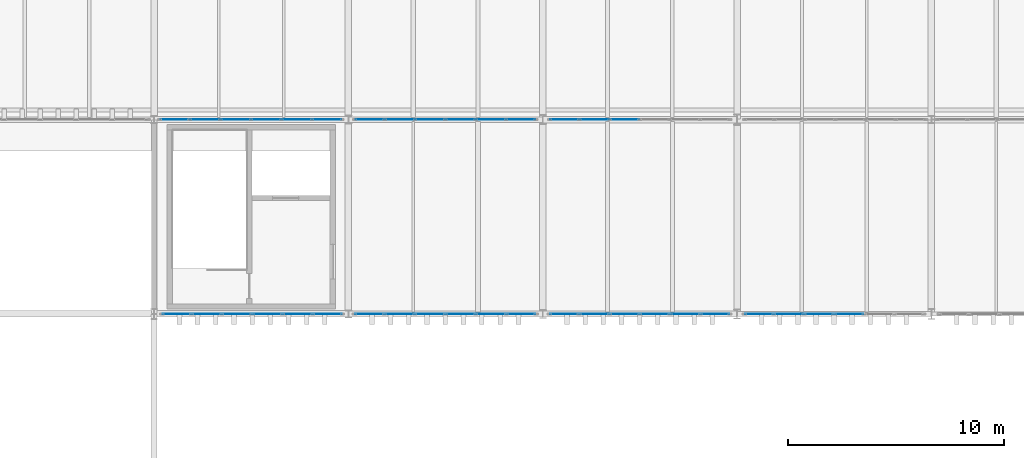
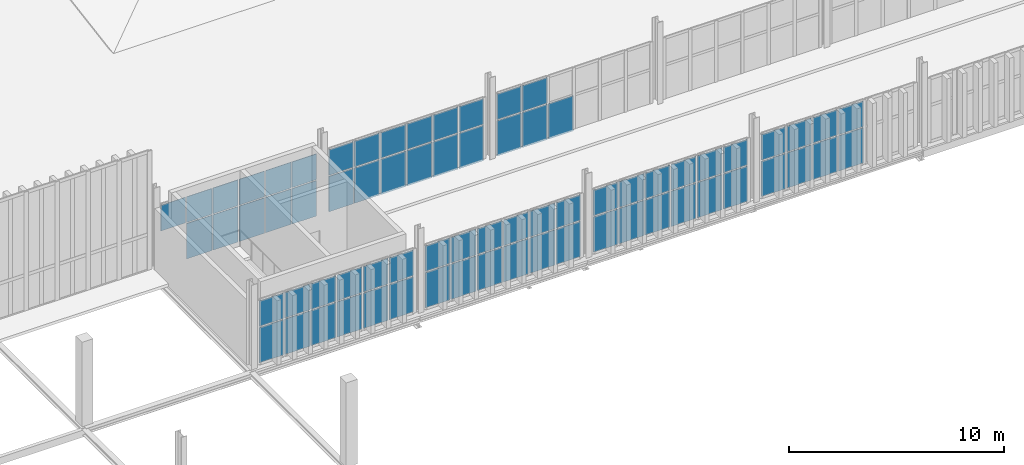
# One storey, part 158 of 196: 72 plates, 7 elements without a shape of their own.
"""IFC4 building model written with IfcOpenShell, lengths in metres."""

from ifc_helpers import new_model, si_unit, direction, frame, origin, origin_2d, place, context, subcontext, project, spatial, rectangle, extrude, material, layer, layer_set, type_object, element, aggregate, save


model = new_model("IFC4")

# Units and contexts
model_context = context("Model", 3, precision=1e-05, world=origin(), true_north=direction((0.0, 1.0)))
body_context = subcontext(model_context, "Body", "Model", "MODEL_VIEW")
ifc_project = project(units=[si_unit("LENGTHUNIT", "METRE"), si_unit("AREAUNIT", "SQUARE_METRE"), si_unit("VOLUMEUNIT", "CUBIC_METRE"), si_unit("PLANEANGLEUNIT", "RADIAN"), si_unit("MASSUNIT", "GRAM", prefix="KILO")], contexts=[model_context])

# Site, building, storey
site_placement = place(None, origin())
site = spatial("IfcSite", under=ifc_project, at=site_placement, CompositionType="ELEMENT")
building_placement = place(site_placement, origin())
building = spatial("IfcBuilding", under=site, at=building_placement, Name="Barlavento Convention Centre", CompositionType="ELEMENT")
storey_placement = place(building_placement, frame((0.0, 0.0, 18.0)))
storey = spatial("IfcBuildingStorey", under=building, at=storey_placement, Name="L03", CompositionType="ELEMENT", Elevation=18.0)

# Curtain wall, plates
ifc_material_1 = material(Name="Powder-coated aluminium and Low-E glass", Category="aluminium")
ifc_layer_1 = layer(ifc_material_1, 0.179931640625)
ifc_layer_set_1 = layer_set([ifc_layer_1], Name="ARC-CW-CONF-L03")
curtain_wall_type = type_object("IfcCurtainWallType", Name="ARC-CW-CONF-L03", PredefinedType="NOTDEFINED", material=ifc_layer_set_1)
curtain_wall_1_placement = place(storey_placement, origin())
curtain_wall_1 = element("IfcCurtainWall", 1, at=curtain_wall_1_placement, inside=storey, type_object=curtain_wall_type, Name="L03 unitised curtain wall CW08", PredefinedType="NOTDEFINED")
ifc_material_2 = material(Name="Double-silver Low-E insulated glass", Category="glass")
ifc_layer_2 = layer(ifc_material_2, 0.028076171875)
ifc_layer_set_2 = layer_set([ifc_layer_2], Name="ARC-CWP-GLZ28")
plate_type_1 = type_object("IfcPlateType", Name="ARC-CWP-GLZ28", PredefinedType="CURTAIN_PANEL", material=ifc_layer_set_2)
plate_1_placement = place(storey_placement, frame((63.96240234375, 54.0, 2.130126953125), z_axis=(0.0, 0.0, 1.0), x_axis=(1.0, 0.0, 0.0)))
plate_1 = element("IfcPlate", 2, at=plate_1_placement, type_object=plate_type_1, Name="CW08 panel 1.2", PredefinedType="CURTAIN_PANEL", context=body_context, shape_type="SweptSolid", body=[
    extrude(rectangle(XDim=1.324951171875, YDim=0.028076171875, at=origin_2d()), origin(), (0.0, 0.0, 1.0), 1.4599609375),
])
plate_2_placement = place(storey_placement, frame((65.362548828125, 54.0, 0.06005859375), z_axis=(0.0, 0.0, 1.0), x_axis=(1.0, 0.0, 0.0)))
plate_2 = element("IfcPlate", 3, at=plate_2_placement, type_object=plate_type_1, Name="CW08 panel 2.1", PredefinedType="CURTAIN_PANEL", context=body_context, shape_type="SweptSolid", body=[
    extrude(rectangle(XDim=1.35498046875, YDim=0.028076171875, at=origin_2d()), origin(), (0.0, 0.0, 1.0), 2.010009765625),
])
plate_3_placement = place(storey_placement, frame((65.362548828125, 54.0, 2.130126953125), z_axis=(0.0, 0.0, 1.0), x_axis=(1.0, 0.0, 0.0)))
plate_3 = element("IfcPlate", 4, at=plate_3_placement, type_object=plate_type_1, Name="CW08 panel 2.2", PredefinedType="CURTAIN_PANEL", context=body_context, shape_type="SweptSolid", body=[
    extrude(rectangle(XDim=1.35498046875, YDim=0.028076171875, at=origin_2d()), origin(), (0.0, 0.0, 1.0), 1.4599609375),
])
plate_4_placement = place(storey_placement, frame((66.777587890625, 54.0, 0.06005859375), z_axis=(0.0, 0.0, 1.0), x_axis=(1.0, 0.0, 0.0)))
plate_4 = element("IfcPlate", 5, at=plate_4_placement, type_object=plate_type_1, Name="CW08 panel 3.1", PredefinedType="CURTAIN_PANEL", context=body_context, shape_type="SweptSolid", body=[
    extrude(rectangle(XDim=1.35498046875, YDim=0.028076171875, at=origin_2d()), origin(), (0.0, 0.0, 1.0), 2.010009765625),
])
plate_5_placement = place(storey_placement, frame((66.777587890625, 54.0, 2.130126953125), z_axis=(0.0, 0.0, 1.0), x_axis=(1.0, 0.0, 0.0)))
plate_5 = element("IfcPlate", 6, at=plate_5_placement, type_object=plate_type_1, Name="CW08 panel 3.2", PredefinedType="CURTAIN_PANEL", context=body_context, shape_type="SweptSolid", body=[
    extrude(rectangle(XDim=1.35498046875, YDim=0.028076171875, at=origin_2d()), origin(), (0.0, 0.0, 1.0), 1.4599609375),
])
plate_6_placement = place(storey_placement, frame((68.1923828125, 54.0, 0.06005859375), z_axis=(0.0, 0.0, 1.0), x_axis=(1.0, 0.0, 0.0)))
plate_6 = element("IfcPlate", 7, at=plate_6_placement, type_object=plate_type_1, Name="CW08 panel 4.1", PredefinedType="CURTAIN_PANEL", context=body_context, shape_type="SweptSolid", body=[
    extrude(rectangle(XDim=1.35498046875, YDim=0.028076171875, at=origin_2d()), origin(), (0.0, 0.0, 1.0), 2.010009765625),
])
plate_7_placement = place(storey_placement, frame((68.1923828125, 54.0, 2.130126953125), z_axis=(0.0, 0.0, 1.0), x_axis=(1.0, 0.0, 0.0)))
plate_7 = element("IfcPlate", 8, at=plate_7_placement, type_object=plate_type_1, Name="CW08 panel 4.2", PredefinedType="CURTAIN_PANEL", context=body_context, shape_type="SweptSolid", body=[
    extrude(rectangle(XDim=1.35498046875, YDim=0.028076171875, at=origin_2d()), origin(), (0.0, 0.0, 1.0), 1.4599609375),
])
plate_8_placement = place(storey_placement, frame((69.607421875, 54.0, 0.06005859375), z_axis=(0.0, 0.0, 1.0), x_axis=(1.0, 0.0, 0.0)))
plate_8 = element("IfcPlate", 9, at=plate_8_placement, type_object=plate_type_1, Name="CW08 panel 5.1", PredefinedType="CURTAIN_PANEL", context=body_context, shape_type="SweptSolid", body=[
    extrude(rectangle(XDim=1.35498046875, YDim=0.028076171875, at=origin_2d()), origin(), (0.0, 0.0, 1.0), 2.010009765625),
])
plate_9_placement = place(storey_placement, frame((69.607421875, 54.0, 2.130126953125), z_axis=(0.0, 0.0, 1.0), x_axis=(1.0, 0.0, 0.0)))
plate_9 = element("IfcPlate", 10, at=plate_9_placement, type_object=plate_type_1, Name="CW08 panel 5.2", PredefinedType="CURTAIN_PANEL", context=body_context, shape_type="SweptSolid", body=[
    extrude(rectangle(XDim=1.35498046875, YDim=0.028076171875, at=origin_2d()), origin(), (0.0, 0.0, 1.0), 1.4599609375),
])
plate_10_placement = place(storey_placement, frame((71.007568359375, 54.0, 0.06005859375), z_axis=(0.0, 0.0, 1.0), x_axis=(1.0, 0.0, 0.0)))
plate_10 = element("IfcPlate", 11, at=plate_10_placement, type_object=plate_type_1, Name="CW08 panel 6.1", PredefinedType="CURTAIN_PANEL", context=body_context, shape_type="SweptSolid", body=[
    extrude(rectangle(XDim=1.324951171875, YDim=0.028076171875, at=origin_2d()), origin(), (0.0, 0.0, 1.0), 2.010009765625),
])
plate_11_placement = place(storey_placement, frame((71.007568359375, 54.0, 2.130126953125), z_axis=(0.0, 0.0, 1.0), x_axis=(1.0, 0.0, 0.0)))
plate_11 = element("IfcPlate", 12, at=plate_11_placement, type_object=plate_type_1, Name="CW08 panel 6.2", PredefinedType="CURTAIN_PANEL", context=body_context, shape_type="SweptSolid", body=[
    extrude(rectangle(XDim=1.324951171875, YDim=0.028076171875, at=origin_2d()), origin(), (0.0, 0.0, 1.0), 1.4599609375),
])
aggregate(curtain_wall_1, [plate_1, plate_2, plate_3, plate_4, plate_5, plate_6, plate_7, plate_8, plate_9, plate_10, plate_11])

curtain_wall_2_placement = place(storey_placement, origin())
curtain_wall_2 = element("IfcCurtainWall", 13, at=curtain_wall_2_placement, inside=storey, type_object=curtain_wall_type, Name="L03 unitised curtain wall CW08", PredefinedType="NOTDEFINED")
plate_12_placement = place(storey_placement, frame((72.988037109375, 54.0, 0.06005859375), z_axis=(0.0, 0.0, 1.0), x_axis=(1.0, 0.0, 0.0)))
plate_12 = element("IfcPlate", 14, at=plate_12_placement, type_object=plate_type_1, Name="CW08 panel 1.1", PredefinedType="CURTAIN_PANEL", context=body_context, shape_type="SweptSolid", body=[
    extrude(rectangle(XDim=1.31591796875, YDim=0.028076171875, at=origin_2d()), origin(), (0.0, 0.0, 1.0), 2.010009765625),
])
plate_13_placement = place(storey_placement, frame((72.988037109375, 54.0, 2.130126953125), z_axis=(0.0, 0.0, 1.0), x_axis=(1.0, 0.0, 0.0)))
plate_13 = element("IfcPlate", 15, at=plate_13_placement, type_object=plate_type_1, Name="CW08 panel 1.2", PredefinedType="CURTAIN_PANEL", context=body_context, shape_type="SweptSolid", body=[
    extrude(rectangle(XDim=1.31591796875, YDim=0.028076171875, at=origin_2d()), origin(), (0.0, 0.0, 1.0), 1.4599609375),
])
plate_14_placement = place(storey_placement, frame((74.378662109375, 54.0, 0.06005859375), z_axis=(0.0, 0.0, 1.0), x_axis=(1.0, 0.0, 0.0)))
plate_14 = element("IfcPlate", 16, at=plate_14_placement, type_object=plate_type_1, Name="CW08 panel 2.1", PredefinedType="CURTAIN_PANEL", context=body_context, shape_type="SweptSolid", body=[
    extrude(rectangle(XDim=1.345947265625, YDim=0.028076171875, at=origin_2d()), origin(), (0.0, 0.0, 1.0), 2.010009765625),
])
plate_15_placement = place(storey_placement, frame((74.378662109375, 54.0, 2.130126953125), z_axis=(0.0, 0.0, 1.0), x_axis=(1.0, 0.0, 0.0)))
plate_15 = element("IfcPlate", 17, at=plate_15_placement, type_object=plate_type_1, Name="CW08 panel 2.2", PredefinedType="CURTAIN_PANEL", context=body_context, shape_type="SweptSolid", body=[
    extrude(rectangle(XDim=1.345947265625, YDim=0.028076171875, at=origin_2d()), origin(), (0.0, 0.0, 1.0), 1.4599609375),
])
plate_16_placement = place(storey_placement, frame((75.78466796875, 54.0, 0.06005859375), z_axis=(0.0, 0.0, 1.0), x_axis=(1.0, 0.0, 0.0)))
plate_16 = element("IfcPlate", 18, at=plate_16_placement, type_object=plate_type_1, Name="CW08 panel 3.1", PredefinedType="CURTAIN_PANEL", context=body_context, shape_type="SweptSolid", body=[
    extrude(rectangle(XDim=1.345947265625, YDim=0.028076171875, at=origin_2d()), origin(), (0.0, 0.0, 1.0), 2.010009765625),
])
plate_17_placement = place(storey_placement, frame((75.78466796875, 54.0, 2.130126953125), z_axis=(0.0, 0.0, 1.0), x_axis=(1.0, 0.0, 0.0)))
plate_17 = element("IfcPlate", 19, at=plate_17_placement, type_object=plate_type_1, Name="CW08 panel 3.2", PredefinedType="CURTAIN_PANEL", context=body_context, shape_type="SweptSolid", body=[
    extrude(rectangle(XDim=1.345947265625, YDim=0.028076171875, at=origin_2d()), origin(), (0.0, 0.0, 1.0), 1.4599609375),
])
plate_18_placement = place(storey_placement, frame((77.1904296875, 54.0, 0.06005859375), z_axis=(0.0, 0.0, 1.0), x_axis=(1.0, 0.0, 0.0)))
plate_18 = element("IfcPlate", 20, at=plate_18_placement, type_object=plate_type_1, Name="CW08 panel 4.1", PredefinedType="CURTAIN_PANEL", context=body_context, shape_type="SweptSolid", body=[
    extrude(rectangle(XDim=1.345947265625, YDim=0.028076171875, at=origin_2d()), origin(), (0.0, 0.0, 1.0), 2.010009765625),
])
plate_19_placement = place(storey_placement, frame((77.1904296875, 54.0, 2.130126953125), z_axis=(0.0, 0.0, 1.0), x_axis=(1.0, 0.0, 0.0)))
plate_19 = element("IfcPlate", 21, at=plate_19_placement, type_object=plate_type_1, Name="CW08 panel 4.2", PredefinedType="CURTAIN_PANEL", context=body_context, shape_type="SweptSolid", body=[
    extrude(rectangle(XDim=1.345947265625, YDim=0.028076171875, at=origin_2d()), origin(), (0.0, 0.0, 1.0), 1.4599609375),
])
plate_20_placement = place(storey_placement, frame((78.59619140625, 54.0, 0.06005859375), z_axis=(0.0, 0.0, 1.0), x_axis=(1.0, 0.0, 0.0)))
plate_20 = element("IfcPlate", 22, at=plate_20_placement, type_object=plate_type_1, Name="CW08 panel 5.1", PredefinedType="CURTAIN_PANEL", context=body_context, shape_type="SweptSolid", body=[
    extrude(rectangle(XDim=1.345947265625, YDim=0.028076171875, at=origin_2d()), origin(), (0.0, 0.0, 1.0), 2.010009765625),
])
plate_21_placement = place(storey_placement, frame((78.59619140625, 54.0, 2.130126953125), z_axis=(0.0, 0.0, 1.0), x_axis=(1.0, 0.0, 0.0)))
plate_21 = element("IfcPlate", 23, at=plate_21_placement, type_object=plate_type_1, Name="CW08 panel 5.2", PredefinedType="CURTAIN_PANEL", context=body_context, shape_type="SweptSolid", body=[
    extrude(rectangle(XDim=1.345947265625, YDim=0.028076171875, at=origin_2d()), origin(), (0.0, 0.0, 1.0), 1.4599609375),
])
plate_22_placement = place(storey_placement, frame((79.987060546875, 54.0, 0.06005859375), z_axis=(0.0, 0.0, 1.0), x_axis=(1.0, 0.0, 0.0)))
plate_22 = element("IfcPlate", 24, at=plate_22_placement, type_object=plate_type_1, Name="CW08 panel 6.1", PredefinedType="CURTAIN_PANEL", context=body_context, shape_type="SweptSolid", body=[
    extrude(rectangle(XDim=1.31591796875, YDim=0.028076171875, at=origin_2d()), origin(), (0.0, 0.0, 1.0), 2.010009765625),
])
plate_23_placement = place(storey_placement, frame((79.987060546875, 54.0, 2.130126953125), z_axis=(0.0, 0.0, 1.0), x_axis=(1.0, 0.0, 0.0)))
plate_23 = element("IfcPlate", 25, at=plate_23_placement, type_object=plate_type_1, Name="CW08 panel 6.2", PredefinedType="CURTAIN_PANEL", context=body_context, shape_type="SweptSolid", body=[
    extrude(rectangle(XDim=1.31591796875, YDim=0.028076171875, at=origin_2d()), origin(), (0.0, 0.0, 1.0), 1.4599609375),
])
aggregate(curtain_wall_2, [plate_12, plate_13, plate_14, plate_15, plate_16, plate_17, plate_18, plate_19, plate_20, plate_21, plate_22, plate_23])

curtain_wall_3_placement = place(storey_placement, origin())
curtain_wall_3 = element("IfcCurtainWall", 26, at=curtain_wall_3_placement, inside=storey, type_object=curtain_wall_type, Name="L03 unitised curtain wall CW08", PredefinedType="NOTDEFINED")
plate_24_placement = place(storey_placement, frame((82.0087890625, 54.0, 0.06005859375), z_axis=(0.0, 0.0, 1.0), x_axis=(1.0, 0.0, 0.0)))
plate_24 = element("IfcPlate", 27, at=plate_24_placement, type_object=plate_type_1, Name="CW08 panel 1.1", PredefinedType="CURTAIN_PANEL", context=body_context, shape_type="SweptSolid", body=[
    extrude(rectangle(XDim=1.3076171875, YDim=0.028076171875, at=origin_2d()), origin(), (0.0, 0.0, 1.0), 2.010009765625),
])
plate_25_placement = place(storey_placement, frame((82.0087890625, 54.0, 2.130126953125), z_axis=(0.0, 0.0, 1.0), x_axis=(1.0, 0.0, 0.0)))
plate_25 = element("IfcPlate", 28, at=plate_25_placement, type_object=plate_type_1, Name="CW08 panel 1.2", PredefinedType="CURTAIN_PANEL", context=body_context, shape_type="SweptSolid", body=[
    extrude(rectangle(XDim=1.3076171875, YDim=0.028076171875, at=origin_2d()), origin(), (0.0, 0.0, 1.0), 1.4599609375),
])
plate_26_placement = place(storey_placement, frame((83.391357421875, 54.0, 0.06005859375), z_axis=(0.0, 0.0, 1.0), x_axis=(1.0, 0.0, 0.0)))
plate_26 = element("IfcPlate", 29, at=plate_26_placement, type_object=plate_type_1, Name="CW08 panel 2.1", PredefinedType="CURTAIN_PANEL", context=body_context, shape_type="SweptSolid", body=[
    extrude(rectangle(XDim=1.33740234375, YDim=0.028076171875, at=origin_2d()), origin(), (0.0, 0.0, 1.0), 2.010009765625),
])
plate_27_placement = place(storey_placement, frame((83.391357421875, 54.0, 2.130126953125), z_axis=(0.0, 0.0, 1.0), x_axis=(1.0, 0.0, 0.0)))
plate_27 = element("IfcPlate", 30, at=plate_27_placement, type_object=plate_type_1, Name="CW08 panel 2.2", PredefinedType="CURTAIN_PANEL", context=body_context, shape_type="SweptSolid", body=[
    extrude(rectangle(XDim=1.33740234375, YDim=0.028076171875, at=origin_2d()), origin(), (0.0, 0.0, 1.0), 1.4599609375),
])
plate_28_placement = place(storey_placement, frame((84.788818359375, 54.0, 0.06005859375), z_axis=(0.0, 0.0, 1.0), x_axis=(1.0, 0.0, 0.0)))
plate_28 = element("IfcPlate", 31, at=plate_28_placement, type_object=plate_type_1, Name="CW08 panel 3.1", PredefinedType="CURTAIN_PANEL", context=body_context, shape_type="SweptSolid", body=[
    extrude(rectangle(XDim=1.33740234375, YDim=0.028076171875, at=origin_2d()), origin(), (0.0, 0.0, 1.0), 2.010009765625),
])
aggregate(curtain_wall_3, [plate_24, plate_25, plate_26, plate_27, plate_28])

curtain_wall_4_placement = place(storey_placement, origin())
curtain_wall_4 = element("IfcCurtainWall", 32, at=curtain_wall_4_placement, inside=storey, type_object=curtain_wall_type, Name="L03 unitised curtain wall CW08", PredefinedType="NOTDEFINED")
ifc_material_3 = material(Name="Double-silver Low-E acoustic laminated glass", Category="glass")
ifc_layer_3 = layer(ifc_material_3, 0.031982421875)
ifc_layer_set_3 = layer_set([ifc_layer_3], Name="ARC-CWP-GLZ32")
plate_type_2 = type_object("IfcPlateType", Name="ARC-CWP-GLZ32", PredefinedType="CURTAIN_PANEL", material=ifc_layer_set_3)
plate_29_placement = place(storey_placement, frame((64.0478515625, 45.0, 0.06494140625), z_axis=(0.0, 0.0, 1.0), x_axis=(1.0, 0.0, 0.0)))
plate_29 = element("IfcPlate", 33, at=plate_29_placement, type_object=plate_type_2, Name="CW08 panel 1.1", PredefinedType="CURTAIN_PANEL", context=body_context, shape_type="SweptSolid", body=[
    extrude(rectangle(XDim=1.305908203125, YDim=0.031982421875, at=origin_2d()), origin(), (0.0, 0.0, 1.0), 2.00244140625),
])
plate_30_placement = place(storey_placement, frame((64.0478515625, 45.0, 2.13232421875), z_axis=(0.0, 0.0, 1.0), x_axis=(1.0, 0.0, 0.0)))
plate_30 = element("IfcPlate", 34, at=plate_30_placement, type_object=plate_type_2, Name="CW08 panel 1.2", PredefinedType="CURTAIN_PANEL", context=body_context, shape_type="SweptSolid", body=[
    extrude(rectangle(XDim=1.305908203125, YDim=0.031982421875, at=origin_2d()), origin(), (0.0, 0.0, 1.0), 1.452392578125),
])
plate_31_placement = place(storey_placement, frame((65.43505859375, 45.0, 0.06494140625), z_axis=(0.0, 0.0, 1.0), x_axis=(1.0, 0.0, 0.0)))
plate_31 = element("IfcPlate", 35, at=plate_31_placement, type_object=plate_type_2, Name="CW08 panel 2.1", PredefinedType="CURTAIN_PANEL", context=body_context, shape_type="SweptSolid", body=[
    extrude(rectangle(XDim=1.33837890625, YDim=0.031982421875, at=origin_2d()), origin(), (0.0, 0.0, 1.0), 2.00244140625),
])
plate_32_placement = place(storey_placement, frame((65.43505859375, 45.0, 2.13232421875), z_axis=(0.0, 0.0, 1.0), x_axis=(1.0, 0.0, 0.0)))
plate_32 = element("IfcPlate", 36, at=plate_32_placement, type_object=plate_type_2, Name="CW08 panel 2.2", PredefinedType="CURTAIN_PANEL", context=body_context, shape_type="SweptSolid", body=[
    extrude(rectangle(XDim=1.33837890625, YDim=0.031982421875, at=origin_2d()), origin(), (0.0, 0.0, 1.0), 1.452392578125),
])
plate_33_placement = place(storey_placement, frame((66.83837890625, 45.0, 0.06494140625), z_axis=(0.0, 0.0, 1.0), x_axis=(1.0, 0.0, 0.0)))
plate_33 = element("IfcPlate", 37, at=plate_33_placement, type_object=plate_type_2, Name="CW08 panel 3.1", PredefinedType="CURTAIN_PANEL", context=body_context, shape_type="SweptSolid", body=[
    extrude(rectangle(XDim=1.33837890625, YDim=0.031982421875, at=origin_2d()), origin(), (0.0, 0.0, 1.0), 2.00244140625),
])
plate_34_placement = place(storey_placement, frame((66.83837890625, 45.0, 2.13232421875), z_axis=(0.0, 0.0, 1.0), x_axis=(1.0, 0.0, 0.0)))
plate_34 = element("IfcPlate", 38, at=plate_34_placement, type_object=plate_type_2, Name="CW08 panel 3.2", PredefinedType="CURTAIN_PANEL", context=body_context, shape_type="SweptSolid", body=[
    extrude(rectangle(XDim=1.33837890625, YDim=0.031982421875, at=origin_2d()), origin(), (0.0, 0.0, 1.0), 1.452392578125),
])
plate_35_placement = place(storey_placement, frame((68.24169921875, 45.0, 0.06494140625), z_axis=(0.0, 0.0, 1.0), x_axis=(1.0, 0.0, 0.0)))
plate_35 = element("IfcPlate", 39, at=plate_35_placement, type_object=plate_type_2, Name="CW08 panel 4.1", PredefinedType="CURTAIN_PANEL", context=body_context, shape_type="SweptSolid", body=[
    extrude(rectangle(XDim=1.33837890625, YDim=0.031982421875, at=origin_2d()), origin(), (0.0, 0.0, 1.0), 2.00244140625),
])
plate_36_placement = place(storey_placement, frame((68.24169921875, 45.0, 2.13232421875), z_axis=(0.0, 0.0, 1.0), x_axis=(1.0, 0.0, 0.0)))
plate_36 = element("IfcPlate", 40, at=plate_36_placement, type_object=plate_type_2, Name="CW08 panel 4.2", PredefinedType="CURTAIN_PANEL", context=body_context, shape_type="SweptSolid", body=[
    extrude(rectangle(XDim=1.33837890625, YDim=0.031982421875, at=origin_2d()), origin(), (0.0, 0.0, 1.0), 1.452392578125),
])
plate_37_placement = place(storey_placement, frame((69.64501953125, 45.0, 0.06494140625), z_axis=(0.0, 0.0, 1.0), x_axis=(1.0, 0.0, 0.0)))
plate_37 = element("IfcPlate", 41, at=plate_37_placement, type_object=plate_type_2, Name="CW08 panel 5.1", PredefinedType="CURTAIN_PANEL", context=body_context, shape_type="SweptSolid", body=[
    extrude(rectangle(XDim=1.33837890625, YDim=0.031982421875, at=origin_2d()), origin(), (0.0, 0.0, 1.0), 2.00244140625),
])
plate_38_placement = place(storey_placement, frame((69.64501953125, 45.0, 2.13232421875), z_axis=(0.0, 0.0, 1.0), x_axis=(1.0, 0.0, 0.0)))
plate_38 = element("IfcPlate", 42, at=plate_38_placement, type_object=plate_type_2, Name="CW08 panel 5.2", PredefinedType="CURTAIN_PANEL", context=body_context, shape_type="SweptSolid", body=[
    extrude(rectangle(XDim=1.33837890625, YDim=0.031982421875, at=origin_2d()), origin(), (0.0, 0.0, 1.0), 1.452392578125),
])
plate_39_placement = place(storey_placement, frame((71.031982421875, 45.0, 0.06494140625), z_axis=(0.0, 0.0, 1.0), x_axis=(1.0, 0.0, 0.0)))
plate_39 = element("IfcPlate", 43, at=plate_39_placement, type_object=plate_type_2, Name="CW08 panel 6.1", PredefinedType="CURTAIN_PANEL", context=body_context, shape_type="SweptSolid", body=[
    extrude(rectangle(XDim=1.305908203125, YDim=0.031982421875, at=origin_2d()), origin(), (0.0, 0.0, 1.0), 2.00244140625),
])
plate_40_placement = place(storey_placement, frame((71.031982421875, 45.0, 2.13232421875), z_axis=(0.0, 0.0, 1.0), x_axis=(1.0, 0.0, 0.0)))
plate_40 = element("IfcPlate", 44, at=plate_40_placement, type_object=plate_type_2, Name="CW08 panel 6.2", PredefinedType="CURTAIN_PANEL", context=body_context, shape_type="SweptSolid", body=[
    extrude(rectangle(XDim=1.305908203125, YDim=0.031982421875, at=origin_2d()), origin(), (0.0, 0.0, 1.0), 1.452392578125),
])
aggregate(curtain_wall_4, [plate_29, plate_30, plate_31, plate_32, plate_33, plate_34, plate_35, plate_36, plate_37, plate_38, plate_39, plate_40])

curtain_wall_5_placement = place(storey_placement, origin())
curtain_wall_5 = element("IfcCurtainWall", 45, at=curtain_wall_5_placement, inside=storey, type_object=curtain_wall_type, Name="L03 unitised curtain wall CW08", PredefinedType="NOTDEFINED")
plate_41_placement = place(storey_placement, frame((72.97216796875, 45.0, 0.06494140625), z_axis=(0.0, 0.0, 1.0), x_axis=(1.0, 0.0, 0.0)))
plate_41 = element("IfcPlate", 46, at=plate_41_placement, type_object=plate_type_2, Name="CW08 panel 1.1", PredefinedType="CURTAIN_PANEL", context=body_context, shape_type="SweptSolid", body=[
    extrude(rectangle(XDim=1.314208984375, YDim=0.031982421875, at=origin_2d()), origin(), (0.0, 0.0, 1.0), 2.00244140625),
])
plate_42_placement = place(storey_placement, frame((72.97216796875, 45.0, 2.13232421875), z_axis=(0.0, 0.0, 1.0), x_axis=(1.0, 0.0, 0.0)))
plate_42 = element("IfcPlate", 47, at=plate_42_placement, type_object=plate_type_2, Name="CW08 panel 1.2", PredefinedType="CURTAIN_PANEL", context=body_context, shape_type="SweptSolid", body=[
    extrude(rectangle(XDim=1.314208984375, YDim=0.031982421875, at=origin_2d()), origin(), (0.0, 0.0, 1.0), 1.452392578125),
])
plate_43_placement = place(storey_placement, frame((74.367431640625, 45.0, 0.06494140625), z_axis=(0.0, 0.0, 1.0), x_axis=(1.0, 0.0, 0.0)))
plate_43 = element("IfcPlate", 48, at=plate_43_placement, type_object=plate_type_2, Name="CW08 panel 2.1", PredefinedType="CURTAIN_PANEL", context=body_context, shape_type="SweptSolid", body=[
    extrude(rectangle(XDim=1.3466796875, YDim=0.031982421875, at=origin_2d()), origin(), (0.0, 0.0, 1.0), 2.00244140625),
])
plate_44_placement = place(storey_placement, frame((74.367431640625, 45.0, 2.13232421875), z_axis=(0.0, 0.0, 1.0), x_axis=(1.0, 0.0, 0.0)))
plate_44 = element("IfcPlate", 49, at=plate_44_placement, type_object=plate_type_2, Name="CW08 panel 2.2", PredefinedType="CURTAIN_PANEL", context=body_context, shape_type="SweptSolid", body=[
    extrude(rectangle(XDim=1.3466796875, YDim=0.031982421875, at=origin_2d()), origin(), (0.0, 0.0, 1.0), 1.452392578125),
])
plate_45_placement = place(storey_placement, frame((75.779052734375, 45.0, 0.06494140625), z_axis=(0.0, 0.0, 1.0), x_axis=(1.0, 0.0, 0.0)))
plate_45 = element("IfcPlate", 50, at=plate_45_placement, type_object=plate_type_2, Name="CW08 panel 3.1", PredefinedType="CURTAIN_PANEL", context=body_context, shape_type="SweptSolid", body=[
    extrude(rectangle(XDim=1.3466796875, YDim=0.031982421875, at=origin_2d()), origin(), (0.0, 0.0, 1.0), 2.00244140625),
])
plate_46_placement = place(storey_placement, frame((75.779052734375, 45.0, 2.13232421875), z_axis=(0.0, 0.0, 1.0), x_axis=(1.0, 0.0, 0.0)))
plate_46 = element("IfcPlate", 51, at=plate_46_placement, type_object=plate_type_2, Name="CW08 panel 3.2", PredefinedType="CURTAIN_PANEL", context=body_context, shape_type="SweptSolid", body=[
    extrude(rectangle(XDim=1.3466796875, YDim=0.031982421875, at=origin_2d()), origin(), (0.0, 0.0, 1.0), 1.452392578125),
])
plate_47_placement = place(storey_placement, frame((77.19091796875, 45.0, 0.06494140625), z_axis=(0.0, 0.0, 1.0), x_axis=(1.0, 0.0, 0.0)))
plate_47 = element("IfcPlate", 52, at=plate_47_placement, type_object=plate_type_2, Name="CW08 panel 4.1", PredefinedType="CURTAIN_PANEL", context=body_context, shape_type="SweptSolid", body=[
    extrude(rectangle(XDim=1.3466796875, YDim=0.031982421875, at=origin_2d()), origin(), (0.0, 0.0, 1.0), 2.00244140625),
])
plate_48_placement = place(storey_placement, frame((77.19091796875, 45.0, 2.13232421875), z_axis=(0.0, 0.0, 1.0), x_axis=(1.0, 0.0, 0.0)))
plate_48 = element("IfcPlate", 53, at=plate_48_placement, type_object=plate_type_2, Name="CW08 panel 4.2", PredefinedType="CURTAIN_PANEL", context=body_context, shape_type="SweptSolid", body=[
    extrude(rectangle(XDim=1.3466796875, YDim=0.031982421875, at=origin_2d()), origin(), (0.0, 0.0, 1.0), 1.452392578125),
])
plate_49_placement = place(storey_placement, frame((78.6025390625, 45.0, 0.06494140625), z_axis=(0.0, 0.0, 1.0), x_axis=(1.0, 0.0, 0.0)))
plate_49 = element("IfcPlate", 54, at=plate_49_placement, type_object=plate_type_2, Name="CW08 panel 5.1", PredefinedType="CURTAIN_PANEL", context=body_context, shape_type="SweptSolid", body=[
    extrude(rectangle(XDim=1.3466796875, YDim=0.031982421875, at=origin_2d()), origin(), (0.0, 0.0, 1.0), 2.00244140625),
])
plate_50_placement = place(storey_placement, frame((78.6025390625, 45.0, 2.13232421875), z_axis=(0.0, 0.0, 1.0), x_axis=(1.0, 0.0, 0.0)))
plate_50 = element("IfcPlate", 55, at=plate_50_placement, type_object=plate_type_2, Name="CW08 panel 5.2", PredefinedType="CURTAIN_PANEL", context=body_context, shape_type="SweptSolid", body=[
    extrude(rectangle(XDim=1.3466796875, YDim=0.031982421875, at=origin_2d()), origin(), (0.0, 0.0, 1.0), 1.452392578125),
])
plate_51_placement = place(storey_placement, frame((79.997802734375, 45.0, 0.06494140625), z_axis=(0.0, 0.0, 1.0), x_axis=(1.0, 0.0, 0.0)))
plate_51 = element("IfcPlate", 56, at=plate_51_placement, type_object=plate_type_2, Name="CW08 panel 6.1", PredefinedType="CURTAIN_PANEL", context=body_context, shape_type="SweptSolid", body=[
    extrude(rectangle(XDim=1.314208984375, YDim=0.031982421875, at=origin_2d()), origin(), (0.0, 0.0, 1.0), 2.00244140625),
])
plate_52_placement = place(storey_placement, frame((79.997802734375, 45.0, 2.13232421875), z_axis=(0.0, 0.0, 1.0), x_axis=(1.0, 0.0, 0.0)))
plate_52 = element("IfcPlate", 57, at=plate_52_placement, type_object=plate_type_2, Name="CW08 panel 6.2", PredefinedType="CURTAIN_PANEL", context=body_context, shape_type="SweptSolid", body=[
    extrude(rectangle(XDim=1.314208984375, YDim=0.031982421875, at=origin_2d()), origin(), (0.0, 0.0, 1.0), 1.452392578125),
])
aggregate(curtain_wall_5, [plate_41, plate_42, plate_43, plate_44, plate_45, plate_46, plate_47, plate_48, plate_49, plate_50, plate_51, plate_52])

curtain_wall_6_placement = place(storey_placement, origin())
curtain_wall_6 = element("IfcCurtainWall", 58, at=curtain_wall_6_placement, inside=storey, type_object=curtain_wall_type, Name="L03 unitised curtain wall CW08", PredefinedType="NOTDEFINED")
plate_53_placement = place(storey_placement, frame((81.99755859375, 45.0, 0.06494140625), z_axis=(0.0, 0.0, 1.0), x_axis=(1.0, 0.0, 0.0)))
plate_53 = element("IfcPlate", 59, at=plate_53_placement, type_object=plate_type_2, Name="CW08 panel 1.1", PredefinedType="CURTAIN_PANEL", context=body_context, shape_type="SweptSolid", body=[
    extrude(rectangle(XDim=1.304931640625, YDim=0.031982421875, at=origin_2d()), origin(), (0.0, 0.0, 1.0), 2.00244140625),
])
plate_54_placement = place(storey_placement, frame((81.99755859375, 45.0, 2.13232421875), z_axis=(0.0, 0.0, 1.0), x_axis=(1.0, 0.0, 0.0)))
plate_54 = element("IfcPlate", 60, at=plate_54_placement, type_object=plate_type_2, Name="CW08 panel 1.2", PredefinedType="CURTAIN_PANEL", context=body_context, shape_type="SweptSolid", body=[
    extrude(rectangle(XDim=1.304931640625, YDim=0.031982421875, at=origin_2d()), origin(), (0.0, 0.0, 1.0), 1.452392578125),
])
plate_55_placement = place(storey_placement, frame((83.3837890625, 45.0, 0.06494140625), z_axis=(0.0, 0.0, 1.0), x_axis=(1.0, 0.0, 0.0)))
plate_55 = element("IfcPlate", 61, at=plate_55_placement, type_object=plate_type_2, Name="CW08 panel 2.1", PredefinedType="CURTAIN_PANEL", context=body_context, shape_type="SweptSolid", body=[
    extrude(rectangle(XDim=1.33740234375, YDim=0.031982421875, at=origin_2d()), origin(), (0.0, 0.0, 1.0), 2.00244140625),
])
plate_56_placement = place(storey_placement, frame((83.3837890625, 45.0, 2.13232421875), z_axis=(0.0, 0.0, 1.0), x_axis=(1.0, 0.0, 0.0)))
plate_56 = element("IfcPlate", 62, at=plate_56_placement, type_object=plate_type_2, Name="CW08 panel 2.2", PredefinedType="CURTAIN_PANEL", context=body_context, shape_type="SweptSolid", body=[
    extrude(rectangle(XDim=1.33740234375, YDim=0.031982421875, at=origin_2d()), origin(), (0.0, 0.0, 1.0), 1.452392578125),
])
plate_57_placement = place(storey_placement, frame((84.7861328125, 45.0, 0.06494140625), z_axis=(0.0, 0.0, 1.0), x_axis=(1.0, 0.0, 0.0)))
plate_57 = element("IfcPlate", 63, at=plate_57_placement, type_object=plate_type_2, Name="CW08 panel 3.1", PredefinedType="CURTAIN_PANEL", context=body_context, shape_type="SweptSolid", body=[
    extrude(rectangle(XDim=1.33740234375, YDim=0.031982421875, at=origin_2d()), origin(), (0.0, 0.0, 1.0), 2.00244140625),
])
plate_58_placement = place(storey_placement, frame((84.7861328125, 45.0, 2.13232421875), z_axis=(0.0, 0.0, 1.0), x_axis=(1.0, 0.0, 0.0)))
plate_58 = element("IfcPlate", 64, at=plate_58_placement, type_object=plate_type_2, Name="CW08 panel 3.2", PredefinedType="CURTAIN_PANEL", context=body_context, shape_type="SweptSolid", body=[
    extrude(rectangle(XDim=1.33740234375, YDim=0.031982421875, at=origin_2d()), origin(), (0.0, 0.0, 1.0), 1.452392578125),
])
plate_59_placement = place(storey_placement, frame((86.188720703125, 45.0, 0.06494140625), z_axis=(0.0, 0.0, 1.0), x_axis=(1.0, 0.0, 0.0)))
plate_59 = element("IfcPlate", 65, at=plate_59_placement, type_object=plate_type_2, Name="CW08 panel 4.1", PredefinedType="CURTAIN_PANEL", context=body_context, shape_type="SweptSolid", body=[
    extrude(rectangle(XDim=1.33740234375, YDim=0.031982421875, at=origin_2d()), origin(), (0.0, 0.0, 1.0), 2.00244140625),
])
plate_60_placement = place(storey_placement, frame((86.188720703125, 45.0, 2.13232421875), z_axis=(0.0, 0.0, 1.0), x_axis=(1.0, 0.0, 0.0)))
plate_60 = element("IfcPlate", 66, at=plate_60_placement, type_object=plate_type_2, Name="CW08 panel 4.2", PredefinedType="CURTAIN_PANEL", context=body_context, shape_type="SweptSolid", body=[
    extrude(rectangle(XDim=1.33740234375, YDim=0.031982421875, at=origin_2d()), origin(), (0.0, 0.0, 1.0), 1.452392578125),
])
plate_61_placement = place(storey_placement, frame((87.59130859375, 45.0, 0.06494140625), z_axis=(0.0, 0.0, 1.0), x_axis=(1.0, 0.0, 0.0)))
plate_61 = element("IfcPlate", 67, at=plate_61_placement, type_object=plate_type_2, Name="CW08 panel 5.1", PredefinedType="CURTAIN_PANEL", context=body_context, shape_type="SweptSolid", body=[
    extrude(rectangle(XDim=1.33740234375, YDim=0.031982421875, at=origin_2d()), origin(), (0.0, 0.0, 1.0), 2.00244140625),
])
plate_62_placement = place(storey_placement, frame((87.59130859375, 45.0, 2.13232421875), z_axis=(0.0, 0.0, 1.0), x_axis=(1.0, 0.0, 0.0)))
plate_62 = element("IfcPlate", 68, at=plate_62_placement, type_object=plate_type_2, Name="CW08 panel 5.2", PredefinedType="CURTAIN_PANEL", context=body_context, shape_type="SweptSolid", body=[
    extrude(rectangle(XDim=1.33740234375, YDim=0.031982421875, at=origin_2d()), origin(), (0.0, 0.0, 1.0), 1.452392578125),
])
plate_63_placement = place(storey_placement, frame((88.9775390625, 45.0, 0.06494140625), z_axis=(0.0, 0.0, 1.0), x_axis=(1.0, 0.0, 0.0)))
plate_63 = element("IfcPlate", 69, at=plate_63_placement, type_object=plate_type_2, Name="CW08 panel 6.1", PredefinedType="CURTAIN_PANEL", context=body_context, shape_type="SweptSolid", body=[
    extrude(rectangle(XDim=1.304931640625, YDim=0.031982421875, at=origin_2d()), origin(), (0.0, 0.0, 1.0), 2.00244140625),
])
plate_64_placement = place(storey_placement, frame((88.9775390625, 45.0, 2.13232421875), z_axis=(0.0, 0.0, 1.0), x_axis=(1.0, 0.0, 0.0)))
plate_64 = element("IfcPlate", 70, at=plate_64_placement, type_object=plate_type_2, Name="CW08 panel 6.2", PredefinedType="CURTAIN_PANEL", context=body_context, shape_type="SweptSolid", body=[
    extrude(rectangle(XDim=1.304931640625, YDim=0.031982421875, at=origin_2d()), origin(), (0.0, 0.0, 1.0), 1.452392578125),
])
aggregate(curtain_wall_6, [plate_53, plate_54, plate_55, plate_56, plate_57, plate_58, plate_59, plate_60, plate_61, plate_62, plate_63, plate_64])

curtain_wall_7_placement = place(storey_placement, origin())
curtain_wall_7 = element("IfcCurtainWall", 71, at=curtain_wall_7_placement, inside=storey, type_object=curtain_wall_type, Name="L03 unitised curtain wall CW08", PredefinedType="NOTDEFINED")
plate_65_placement = place(storey_placement, frame((91.018310546875, 45.0, 0.06494140625), z_axis=(0.0, 0.0, 1.0), x_axis=(1.0, 0.0, 0.0)))
plate_65 = element("IfcPlate", 72, at=plate_65_placement, type_object=plate_type_2, Name="CW08 panel 1.1", PredefinedType="CURTAIN_PANEL", context=body_context, shape_type="SweptSolid", body=[
    extrude(rectangle(XDim=1.296630859375, YDim=0.031982421875, at=origin_2d()), origin(), (0.0, 0.0, 1.0), 2.00244140625),
])
plate_66_placement = place(storey_placement, frame((91.018310546875, 45.0, 2.13232421875), z_axis=(0.0, 0.0, 1.0), x_axis=(1.0, 0.0, 0.0)))
plate_66 = element("IfcPlate", 73, at=plate_66_placement, type_object=plate_type_2, Name="CW08 panel 1.2", PredefinedType="CURTAIN_PANEL", context=body_context, shape_type="SweptSolid", body=[
    extrude(rectangle(XDim=1.296630859375, YDim=0.031982421875, at=origin_2d()), origin(), (0.0, 0.0, 1.0), 1.452392578125),
])
plate_67_placement = place(storey_placement, frame((92.396240234375, 45.0, 0.06494140625), z_axis=(0.0, 0.0, 1.0), x_axis=(1.0, 0.0, 0.0)))
plate_67 = element("IfcPlate", 74, at=plate_67_placement, type_object=plate_type_2, Name="CW08 panel 2.1", PredefinedType="CURTAIN_PANEL", context=body_context, shape_type="SweptSolid", body=[
    extrude(rectangle(XDim=1.3291015625, YDim=0.031982421875, at=origin_2d()), origin(), (0.0, 0.0, 1.0), 2.00244140625),
])
plate_68_placement = place(storey_placement, frame((92.396240234375, 45.0, 2.13232421875), z_axis=(0.0, 0.0, 1.0), x_axis=(1.0, 0.0, 0.0)))
plate_68 = element("IfcPlate", 75, at=plate_68_placement, type_object=plate_type_2, Name="CW08 panel 2.2", PredefinedType="CURTAIN_PANEL", context=body_context, shape_type="SweptSolid", body=[
    extrude(rectangle(XDim=1.3291015625, YDim=0.031982421875, at=origin_2d()), origin(), (0.0, 0.0, 1.0), 1.452392578125),
])
plate_69_placement = place(storey_placement, frame((93.79052734375, 45.0, 0.06494140625), z_axis=(0.0, 0.0, 1.0), x_axis=(1.0, 0.0, 0.0)))
plate_69 = element("IfcPlate", 76, at=plate_69_placement, type_object=plate_type_2, Name="CW08 panel 3.1", PredefinedType="CURTAIN_PANEL", context=body_context, shape_type="SweptSolid", body=[
    extrude(rectangle(XDim=1.3291015625, YDim=0.031982421875, at=origin_2d()), origin(), (0.0, 0.0, 1.0), 2.00244140625),
])
plate_70_placement = place(storey_placement, frame((93.79052734375, 45.0, 2.13232421875), z_axis=(0.0, 0.0, 1.0), x_axis=(1.0, 0.0, 0.0)))
plate_70 = element("IfcPlate", 77, at=plate_70_placement, type_object=plate_type_2, Name="CW08 panel 3.2", PredefinedType="CURTAIN_PANEL", context=body_context, shape_type="SweptSolid", body=[
    extrude(rectangle(XDim=1.3291015625, YDim=0.031982421875, at=origin_2d()), origin(), (0.0, 0.0, 1.0), 1.452392578125),
])
plate_71_placement = place(storey_placement, frame((95.1845703125, 45.0, 0.06494140625), z_axis=(0.0, 0.0, 1.0), x_axis=(1.0, 0.0, 0.0)))
plate_71 = element("IfcPlate", 78, at=plate_71_placement, type_object=plate_type_2, Name="CW08 panel 4.1", PredefinedType="CURTAIN_PANEL", context=body_context, shape_type="SweptSolid", body=[
    extrude(rectangle(XDim=1.3291015625, YDim=0.031982421875, at=origin_2d()), origin(), (0.0, 0.0, 1.0), 2.00244140625),
])
plate_72_placement = place(storey_placement, frame((95.1845703125, 45.0, 2.13232421875), z_axis=(0.0, 0.0, 1.0), x_axis=(1.0, 0.0, 0.0)))
plate_72 = element("IfcPlate", 79, at=plate_72_placement, type_object=plate_type_2, Name="CW08 panel 4.2", PredefinedType="CURTAIN_PANEL", context=body_context, shape_type="SweptSolid", body=[
    extrude(rectangle(XDim=1.3291015625, YDim=0.031982421875, at=origin_2d()), origin(), (0.0, 0.0, 1.0), 1.452392578125),
])
aggregate(curtain_wall_7, [plate_65, plate_66, plate_67, plate_68, plate_69, plate_70, plate_71, plate_72])

save(model, "model.ifc")
